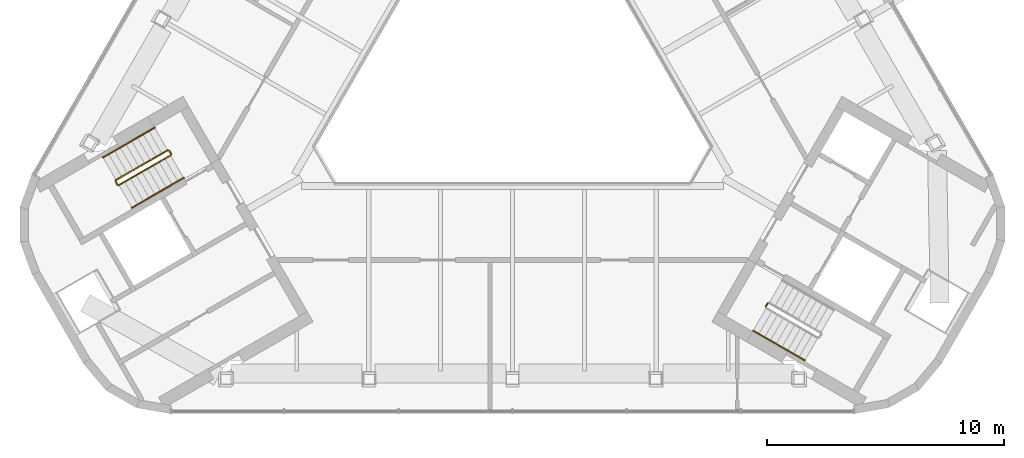
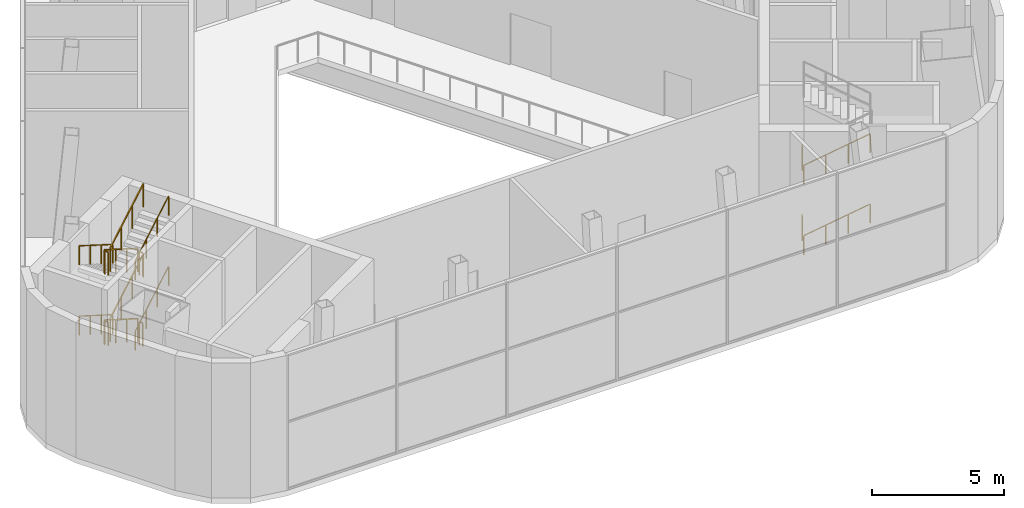
# One storey, part 11 of 12: 16 railings.
"""IFC4 building model written with IfcOpenShell, lengths in metres."""

from ifc_helpers import new_model, si_unit, direction, frame, origin, origin_2d, place, context, subcontext, project, spatial, rectangle, circle, extrude, material, type_object, element, save


model = new_model("IFC4")

# Units and contexts
model_context = context("Model", 3, precision=1e-05, world=origin(), true_north=direction((0.0, 1.0)))
body_context = subcontext(model_context, "Body", "Model", "MODEL_VIEW")
ifc_project = project(units=[si_unit("LENGTHUNIT", "METRE"), si_unit("AREAUNIT", "SQUARE_METRE"), si_unit("VOLUMEUNIT", "CUBIC_METRE"), si_unit("PLANEANGLEUNIT", "RADIAN"), si_unit("MASSUNIT", "GRAM", prefix="KILO")], contexts=[model_context])

# Site, building, storey
site_placement = place(None, origin())
site = spatial("IfcSite", under=ifc_project, at=site_placement, CompositionType="ELEMENT")
building_placement = place(site_placement, origin())
building = spatial("IfcBuilding", under=site, at=building_placement, Name="Apuvela Tower Hotel", CompositionType="ELEMENT")
storey_placement = place(building_placement, frame((0.0, 0.0, 331.800048828125)))
storey = spatial("IfcBuildingStorey", under=building, at=storey_placement, Name="L83", CompositionType="ELEMENT", Elevation=331.800048828125)

# Railings
ifc_material_1 = material(Name="Steel S275 balustrade", Category="steel")
railing_type_1 = type_object("IfcRailingType", Name="COR-GUARD-1100", PredefinedType="GUARDRAIL", material=ifc_material_1)
railing_1_placement = place(storey_placement, frame((-14.569091796875, -3.9658203125, 0.162353515625)))
element("IfcRailing", 1, at=railing_1_placement, inside=storey, type_object=railing_type_1, Name="L83 ST2 stair guard 1", PredefinedType="GUARDRAIL", context=body_context, shape_type="SweptSolid", body=[
    extrude(rectangle(XDim=0.048095703125, YDim=0.048095703125, at=origin_2d()), frame((0.0, 0.0, 1.076171875), z_axis=(-0.749001218392, -0.432441580503, 0.501987504126), x_axis=(0.500004791531, -0.866022637375, 0.0)), (0.0, 0.0, 1.0), 2.913818359375),
    extrude(rectangle(XDim=0.0419921875, YDim=0.0419921875, at=origin_2d()), origin(), (0.0, 0.0, 1.0), 1.052001953125),
    extrude(rectangle(XDim=0.0419921875, YDim=0.0419921875, at=origin_2d()), frame((-0.7275390625, -0.419921875, 0.487548828125)), (0.0, 0.0, 1.0), 1.052001953125),
    extrude(rectangle(XDim=0.0419921875, YDim=0.0419921875, at=origin_2d()), frame((-1.454833984375, -0.840087890625, 0.97509765625)), (0.0, 0.0, 1.0), 1.052001953125),
    extrude(rectangle(XDim=0.0419921875, YDim=0.0419921875, at=origin_2d()), frame((-2.182373046875, -1.260009765625, 1.462646484375)), (0.0, 0.0, 1.0), 1.052001953125),
])
railing_2_placement = place(storey_placement, frame((-16.769775390625, -5.294189453125, 1.625)))
element("IfcRailing", 2, at=railing_2_placement, inside=storey, type_object=railing_type_1, Name="L83 ST2 stair guard 2", PredefinedType="GUARDRAIL", context=body_context, shape_type="SweptSolid", body=[
    extrude(rectangle(XDim=0.048095703125, YDim=0.048095703125, at=origin_2d()), frame((0.0, 0.0, 1.076171875), z_axis=(0.501036270542, -0.865426285481, 0.0), x_axis=(0.865426285481, 0.501036270542, 0.0)), (0.0, 0.0, 1.0), 0.150146484375),
    extrude(rectangle(XDim=0.0419921875, YDim=0.0419921875, at=origin_2d()), origin(), (0.0, 0.0, 1.0), 1.052001953125),
    extrude(rectangle(XDim=0.0419921875, YDim=0.0419921875, at=origin_2d()), frame((0.0751953125, -0.1298828125, 0.0)), (0.0, 0.0, 1.0), 1.052001953125),
])
railing_3_placement = place(storey_placement, frame((-16.62646484375, -5.4423828125, 1.787353515625)))
element("IfcRailing", 3, at=railing_3_placement, inside=storey, type_object=railing_type_1, Name="L83 ST2 stair guard 3", PredefinedType="GUARDRAIL", context=body_context, shape_type="SweptSolid", body=[
    extrude(rectangle(XDim=0.048095703125, YDim=0.048095703125, at=origin_2d()), frame((0.0, 0.0, 1.076171875), z_axis=(0.749001218392, 0.432441580503, 0.501987504126), x_axis=(-0.500004791531, 0.866022637375, 0.0)), (0.0, 0.0, 1.0), 2.913818359375),
    extrude(rectangle(XDim=0.0419921875, YDim=0.0419921875, at=origin_2d()), origin(), (0.0, 0.0, 1.0), 1.052001953125),
    extrude(rectangle(XDim=0.0419921875, YDim=0.0419921875, at=origin_2d()), frame((0.7275390625, 0.419921875, 0.487548828125)), (0.0, 0.0, 1.0), 1.052001953125),
    extrude(rectangle(XDim=0.0419921875, YDim=0.0419921875, at=origin_2d()), frame((1.454833984375, 0.840087890625, 0.97509765625)), (0.0, 0.0, 1.0), 1.052001953125),
    extrude(rectangle(XDim=0.0419921875, YDim=0.0419921875, at=origin_2d()), frame((2.182373046875, 1.260009765625, 1.462646484375)), (0.0, 0.0, 1.0), 1.052001953125),
])
railing_4_placement = place(storey_placement, frame((-14.500732421875, -3.984130859375, 3.25)))
element("IfcRailing", 4, at=railing_4_placement, inside=storey, type_object=railing_type_1, Name="L83 ST2 stair guard 4", PredefinedType="GUARDRAIL", context=body_context, shape_type="SweptSolid", body=[
    extrude(rectangle(XDim=0.048095703125, YDim=0.048095703125, at=origin_2d()), frame((0.0, 0.0, 1.076171875), z_axis=(0.499816412211, -0.866131372301, 0.0), x_axis=(0.866131372301, 0.499816412211, 0.0)), (0.0, 0.0, 1.0), 0.14990234375),
    extrude(rectangle(XDim=0.0419921875, YDim=0.0419921875, at=origin_2d()), origin(), (0.0, 0.0, 1.0), 1.052001953125),
    extrude(rectangle(XDim=0.0419921875, YDim=0.0419921875, at=origin_2d()), frame((0.074951171875, -0.1298828125, 0.0)), (0.0, 0.0, 1.0), 1.052001953125),
])
railing_5_placement = place(storey_placement, frame((-14.569091796875, -3.9658203125, 3.412353515625)))
element("IfcRailing", 5, at=railing_5_placement, inside=storey, type_object=railing_type_1, Name="L83 ST2 stair guard 5", PredefinedType="GUARDRAIL", context=body_context, shape_type="SweptSolid", body=[
    extrude(rectangle(XDim=0.048095703125, YDim=0.048095703125, at=origin_2d()), frame((0.0, 0.0, 1.076171875), z_axis=(-0.749001218392, -0.432441580503, 0.501987504126), x_axis=(0.500004791531, -0.866022637375, 0.0)), (0.0, 0.0, 1.0), 2.913818359375),
    extrude(rectangle(XDim=0.0419921875, YDim=0.0419921875, at=origin_2d()), origin(), (0.0, 0.0, 1.0), 1.052001953125),
    extrude(rectangle(XDim=0.0419921875, YDim=0.0419921875, at=origin_2d()), frame((-0.7275390625, -0.419921875, 0.487548828125)), (0.0, 0.0, 1.0), 1.052001953125),
    extrude(rectangle(XDim=0.0419921875, YDim=0.0419921875, at=origin_2d()), frame((-1.454833984375, -0.840087890625, 0.97509765625)), (0.0, 0.0, 1.0), 1.052001953125),
    extrude(rectangle(XDim=0.0419921875, YDim=0.0419921875, at=origin_2d()), frame((-2.182373046875, -1.260009765625, 1.462646484375)), (0.0, 0.0, 1.0), 1.052001953125),
])
railing_6_placement = place(storey_placement, frame((-16.769775390625, -5.294189453125, 4.875)))
element("IfcRailing", 6, at=railing_6_placement, inside=storey, type_object=railing_type_1, Name="L83 ST2 stair guard 6", PredefinedType="GUARDRAIL", context=body_context, shape_type="SweptSolid", body=[
    extrude(rectangle(XDim=0.048095703125, YDim=0.048095703125, at=origin_2d()), frame((0.0, 0.0, 1.076171875), z_axis=(0.501036270542, -0.865426285481, 0.0), x_axis=(0.865426285481, 0.501036270542, 0.0)), (0.0, 0.0, 1.0), 0.150146484375),
    extrude(rectangle(XDim=0.0419921875, YDim=0.0419921875, at=origin_2d()), origin(), (0.0, 0.0, 1.0), 1.052001953125),
    extrude(rectangle(XDim=0.0419921875, YDim=0.0419921875, at=origin_2d()), frame((0.0751953125, -0.1298828125, 0.0)), (0.0, 0.0, 1.0), 1.052001953125),
])
railing_7_placement = place(storey_placement, frame((-16.62646484375, -5.4423828125, 5.037353515625)))
element("IfcRailing", 7, at=railing_7_placement, inside=storey, type_object=railing_type_1, Name="L83 ST2 stair guard 7", PredefinedType="GUARDRAIL", context=body_context, shape_type="SweptSolid", body=[
    extrude(rectangle(XDim=0.048095703125, YDim=0.048095703125, at=origin_2d()), frame((0.0, 0.0, 1.076171875), z_axis=(0.749001218392, 0.432441580503, 0.501987504126), x_axis=(-0.500004791531, 0.866022637375, 0.0)), (0.0, 0.0, 1.0), 2.913818359375),
    extrude(rectangle(XDim=0.0419921875, YDim=0.0419921875, at=origin_2d()), origin(), (0.0, 0.0, 1.0), 1.052001953125),
    extrude(rectangle(XDim=0.0419921875, YDim=0.0419921875, at=origin_2d()), frame((0.7275390625, 0.419921875, 0.487548828125)), (0.0, 0.0, 1.0), 1.052001953125),
    extrude(rectangle(XDim=0.0419921875, YDim=0.0419921875, at=origin_2d()), frame((1.454833984375, 0.840087890625, 0.97509765625)), (0.0, 0.0, 1.0), 1.052001953125),
    extrude(rectangle(XDim=0.0419921875, YDim=0.0419921875, at=origin_2d()), frame((2.182373046875, 1.260009765625, 1.462646484375)), (0.0, 0.0, 1.0), 1.052001953125),
])
railing_8_placement = place(storey_placement, frame((-14.500732421875, -3.984130859375, 0.0)))
element("IfcRailing", 8, at=railing_8_placement, inside=storey, type_object=railing_type_1, Name="L83 ST2 stair guard 8", PredefinedType="GUARDRAIL", context=body_context, shape_type="SweptSolid", body=[
    extrude(rectangle(XDim=0.048095703125, YDim=0.048095703125, at=origin_2d()), frame((0.0, 0.0, 1.076171875), z_axis=(0.499816412211, -0.866131372301, 0.0), x_axis=(0.866131372301, 0.499816412211, 0.0)), (0.0, 0.0, 1.0), 0.14990234375),
    extrude(rectangle(XDim=0.0419921875, YDim=0.0419921875, at=origin_2d()), origin(), (0.0, 0.0, 1.0), 1.052001953125),
    extrude(rectangle(XDim=0.0419921875, YDim=0.0419921875, at=origin_2d()), frame((0.074951171875, -0.1298828125, 0.0)), (0.0, 0.0, 1.0), 1.052001953125),
])
for number, where, name in (
    (9, (10.70068359375, -10.56591796875, 3.25), "L83 ST3 stair guard 4"),
    (10, (10.70068359375, -10.56591796875, 0.0), "L83 ST3 stair guard 8"),
):
    element("IfcRailing", number, at=place(storey_placement, frame(where)), inside=storey, type_object=railing_type_1, Name=name, PredefinedType="GUARDRAIL", context=body_context, shape_type="SweptSolid", body=[
        extrude(rectangle(XDim=0.048095703125, YDim=0.048095703125, at=origin_2d()), frame((0.0, 0.0, 1.076171875), z_axis=(0.499816412211, 0.866131372301, 0.0), x_axis=(-0.866131372301, 0.499816412211, 0.0)), (0.0, 0.0, 1.0), 0.14990234375),
        extrude(rectangle(XDim=0.0419921875, YDim=0.0419921875, at=origin_2d()), origin(), (0.0, 0.0, 1.0), 1.052001953125),
        extrude(rectangle(XDim=0.0419921875, YDim=0.0419921875, at=origin_2d()), frame((0.074951171875, 0.1298828125, 0.0)), (0.0, 0.0, 1.0), 1.052001953125),
    ])
ifc_material_2 = material(Name="Stainless steel 316 handrail", Category="steel")
railing_type_2 = type_object("IfcRailingType", Name="COR-HANDRAIL-900", PredefinedType="HANDRAIL", material=ifc_material_2)
railing_9_placement = place(storey_placement, frame((-15.118896484375, -3.01318359375, 0.162353515625)))
element("IfcRailing", 11, at=railing_9_placement, inside=storey, type_object=railing_type_2, Name="L83 ST2 stair handrail 1", PredefinedType="HANDRAIL", context=body_context, shape_type="SweptSolid", body=[
    extrude(circle(Radius=0.02392578125, at=origin_2d()), frame((0.0, 0.0, 0.8759765625), z_axis=(-0.749001218392, -0.432441580503, 0.501987504126), x_axis=(0.500004791531, -0.866022637375, 0.0)), (0.0, 0.0, 1.0), 2.913818359375),
    extrude(rectangle(XDim=0.0419921875, YDim=0.0419921875, at=origin_2d()), origin(), (0.0, 0.0, 1.0), 0.851806640625),
    extrude(rectangle(XDim=0.0419921875, YDim=0.0419921875, at=origin_2d()), frame((-0.7275390625, -0.419921875, 0.487548828125)), (0.0, 0.0, 1.0), 0.851806640625),
    extrude(rectangle(XDim=0.0419921875, YDim=0.0419921875, at=origin_2d()), frame((-1.454833984375, -0.840087890625, 0.97509765625)), (0.0, 0.0, 1.0), 0.851806640625),
    extrude(rectangle(XDim=0.0419921875, YDim=0.0419921875, at=origin_2d()), frame((-2.182373046875, -1.260009765625, 1.462646484375)), (0.0, 0.0, 1.0), 0.851806640625),
])
railing_10_placement = place(storey_placement, frame((-16.076416015625, -6.39501953125, 1.787353515625)))
element("IfcRailing", 12, at=railing_10_placement, inside=storey, type_object=railing_type_2, Name="L83 ST2 stair handrail 2", PredefinedType="HANDRAIL", context=body_context, shape_type="SweptSolid", body=[
    extrude(circle(Radius=0.02392578125, at=origin_2d()), frame((0.0, 0.0, 0.8759765625), z_axis=(0.749001218392, 0.432441580503, 0.501987504126), x_axis=(-0.500004791531, 0.866022637375, 0.0)), (0.0, 0.0, 1.0), 2.913818359375),
    extrude(rectangle(XDim=0.0419921875, YDim=0.0419921875, at=origin_2d()), origin(), (0.0, 0.0, 1.0), 0.851806640625),
    extrude(rectangle(XDim=0.0419921875, YDim=0.0419921875, at=origin_2d()), frame((0.7275390625, 0.419921875, 0.487548828125)), (0.0, 0.0, 1.0), 0.851806640625),
    extrude(rectangle(XDim=0.0419921875, YDim=0.0419921875, at=origin_2d()), frame((1.454833984375, 0.840087890625, 0.97509765625)), (0.0, 0.0, 1.0), 0.851806640625),
    extrude(rectangle(XDim=0.0419921875, YDim=0.0419921875, at=origin_2d()), frame((2.182373046875, 1.260009765625, 1.462646484375)), (0.0, 0.0, 1.0), 0.851806640625),
])
railing_11_placement = place(storey_placement, frame((-15.118896484375, -3.01318359375, 3.412353515625)))
element("IfcRailing", 13, at=railing_11_placement, inside=storey, type_object=railing_type_2, Name="L83 ST2 stair handrail 3", PredefinedType="HANDRAIL", context=body_context, shape_type="SweptSolid", body=[
    extrude(circle(Radius=0.02392578125, at=origin_2d()), frame((0.0, 0.0, 0.8759765625), z_axis=(-0.749001218392, -0.432441580503, 0.501987504126), x_axis=(0.500004791531, -0.866022637375, 0.0)), (0.0, 0.0, 1.0), 2.913818359375),
    extrude(rectangle(XDim=0.0419921875, YDim=0.0419921875, at=origin_2d()), origin(), (0.0, 0.0, 1.0), 0.851806640625),
    extrude(rectangle(XDim=0.0419921875, YDim=0.0419921875, at=origin_2d()), frame((-0.7275390625, -0.419921875, 0.487548828125)), (0.0, 0.0, 1.0), 0.851806640625),
    extrude(rectangle(XDim=0.0419921875, YDim=0.0419921875, at=origin_2d()), frame((-1.454833984375, -0.840087890625, 0.97509765625)), (0.0, 0.0, 1.0), 0.851806640625),
    extrude(rectangle(XDim=0.0419921875, YDim=0.0419921875, at=origin_2d()), frame((-2.182373046875, -1.260009765625, 1.462646484375)), (0.0, 0.0, 1.0), 0.851806640625),
])
railing_12_placement = place(storey_placement, frame((-16.076416015625, -6.39501953125, 5.037353515625)))
element("IfcRailing", 14, at=railing_12_placement, inside=storey, type_object=railing_type_2, Name="L83 ST2 stair handrail 4", PredefinedType="HANDRAIL", context=body_context, shape_type="SweptSolid", body=[
    extrude(circle(Radius=0.02392578125, at=origin_2d()), frame((0.0, 0.0, 0.8759765625), z_axis=(0.749001218392, 0.432441580503, 0.501987504126), x_axis=(-0.500004791531, 0.866022637375, 0.0)), (0.0, 0.0, 1.0), 2.913818359375),
    extrude(rectangle(XDim=0.0419921875, YDim=0.0419921875, at=origin_2d()), origin(), (0.0, 0.0, 1.0), 0.851806640625),
    extrude(rectangle(XDim=0.0419921875, YDim=0.0419921875, at=origin_2d()), frame((0.7275390625, 0.419921875, 0.487548828125)), (0.0, 0.0, 1.0), 0.851806640625),
    extrude(rectangle(XDim=0.0419921875, YDim=0.0419921875, at=origin_2d()), frame((1.454833984375, 0.840087890625, 0.97509765625)), (0.0, 0.0, 1.0), 0.851806640625),
    extrude(rectangle(XDim=0.0419921875, YDim=0.0419921875, at=origin_2d()), frame((2.182373046875, 1.260009765625, 1.462646484375)), (0.0, 0.0, 1.0), 0.851806640625),
])
for number, where, name in (
    (15, (10.1689453125, -11.5869140625, 0.162353515625), "L83 ST3 stair handrail 1"),
    (16, (10.1689453125, -11.5869140625, 3.412353515625), "L83 ST3 stair handrail 3"),
):
    element("IfcRailing", number, at=place(storey_placement, frame(where)), inside=storey, type_object=railing_type_2, Name=name, PredefinedType="HANDRAIL", context=body_context, shape_type="SweptSolid", body=[
        extrude(circle(Radius=0.02392578125, at=origin_2d()), frame((0.0, 0.0, 0.8759765625), z_axis=(0.749001218392, -0.432441580503, 0.501987504126), x_axis=(0.500004791531, 0.866022637375, 0.0)), (0.0, 0.0, 1.0), 2.913818359375),
        extrude(rectangle(XDim=0.0419921875, YDim=0.0419921875, at=origin_2d()), origin(), (0.0, 0.0, 1.0), 0.851806640625),
        extrude(rectangle(XDim=0.0419921875, YDim=0.0419921875, at=origin_2d()), frame((0.7275390625, -0.419921875, 0.487548828125)), (0.0, 0.0, 1.0), 0.851806640625),
        extrude(rectangle(XDim=0.0419921875, YDim=0.0419921875, at=origin_2d()), frame((1.454833984375, -0.840087890625, 0.97509765625)), (0.0, 0.0, 1.0), 0.851806640625),
        extrude(rectangle(XDim=0.0419921875, YDim=0.0419921875, at=origin_2d()), frame((2.182373046875, -1.260009765625, 1.462646484375)), (0.0, 0.0, 1.0), 0.851806640625),
    ])

save(model, "model.ifc")
